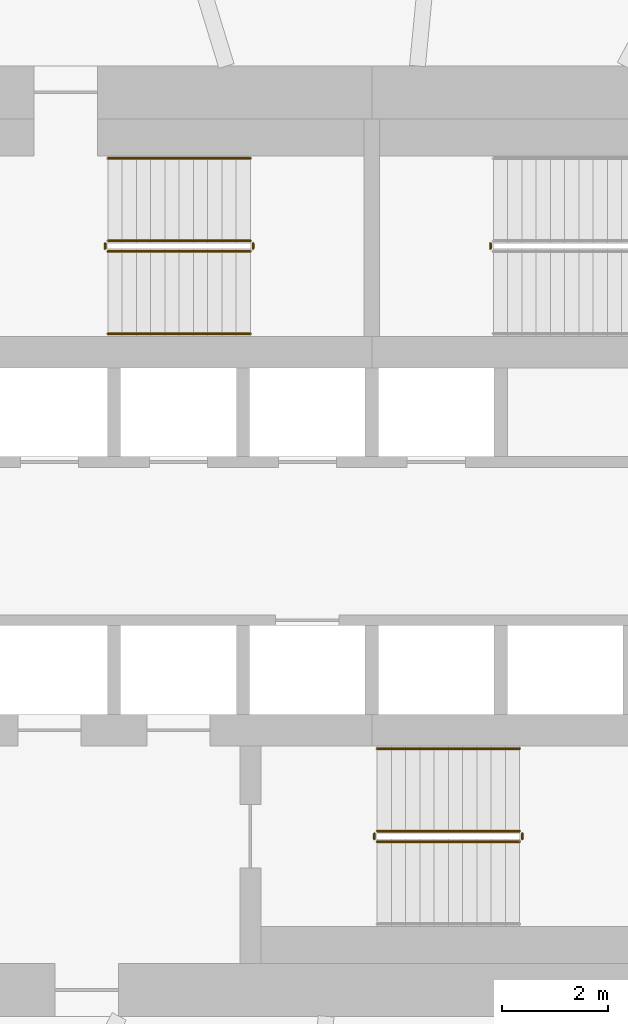
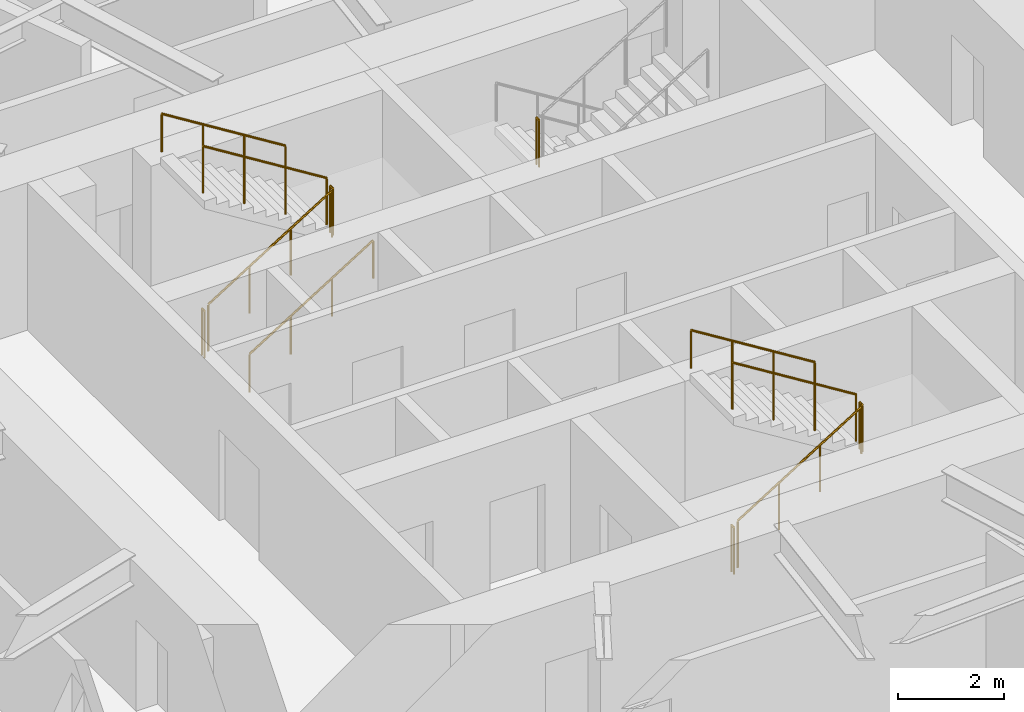
# One storey, part 13 of 16: 12 railings.
"""IFC4 building model written with IfcOpenShell, lengths in metres."""

from ifc_helpers import new_model, si_unit, direction, frame, origin, origin_2d, place, context, subcontext, project, spatial, circle, extrude, material, type_object, element, save


model = new_model("IFC4")

# Units and contexts
model_context = context("Model", 3, precision=1e-05, world=origin(), true_north=direction((0.0, 1.0)))
body_context = subcontext(model_context, "Body", "Model", "MODEL_VIEW")
ifc_project = project(units=[si_unit("LENGTHUNIT", "METRE"), si_unit("AREAUNIT", "SQUARE_METRE"), si_unit("VOLUMEUNIT", "CUBIC_METRE"), si_unit("PLANEANGLEUNIT", "RADIAN"), si_unit("MASSUNIT", "GRAM", prefix="KILO")], contexts=[model_context])

# Site, building, storey
site_placement = place(None, origin())
site = spatial("IfcSite", under=ifc_project, at=site_placement, CompositionType="ELEMENT")
building_placement = place(site_placement, origin())
building = spatial("IfcBuilding", under=site, at=building_placement, Name="Vermilion Reach Broadcast Tower", CompositionType="ELEMENT")
storey_placement = place(building_placement, frame((0.0, 0.0, 47.10009765625)))
storey = spatial("IfcBuildingStorey", under=building, at=storey_placement, Name="L08", CompositionType="ELEMENT", Elevation=47.10009765625)

# Railings
ifc_material_1 = material(Name="Stainless steel", Category="steel")
railing_type_1 = type_object("IfcRailingType", Name="Stair guard 1100", PredefinedType="GUARDRAIL", material=ifc_material_1)
railing_1_placement = place(storey_placement, frame((-11.0, 5.489990234375, 0.16796875)))
element("IfcRailing", 1, at=railing_1_placement, inside=storey, type_object=railing_type_1, Name="L08 ST1 stair guard 1", PredefinedType="GUARDRAIL", context=body_context, shape_type="SweptSolid", body=[
    extrude(circle(Radius=0.02392578125, at=origin_2d()), frame((0.0, 0.0, 1.076171875), z_axis=(0.848786430784, 0.0, 0.528735846068), x_axis=(0.0, 1.0, 0.0)), (0.0, 0.0, 1.0), 3.180908203125),
    extrude(circle(Radius=0.02099609375, at=origin_2d()), origin(), (0.0, 0.0, 1.0), 1.052001953125),
    extrude(circle(Radius=0.02099609375, at=origin_2d()), frame((0.89990234375, 0.0, 0.560546875)), (0.0, 0.0, 1.0), 1.052001953125),
    extrude(circle(Radius=0.02099609375, at=origin_2d()), frame((1.800048828125, 0.0, 1.121337890625)), (0.0, 0.0, 1.0), 1.052001953125),
    extrude(circle(Radius=0.02099609375, at=origin_2d()), frame((2.699951171875, 0.0, 1.681884765625)), (0.0, 0.0, 1.0), 1.052001953125),
])
railing_2_placement = place(storey_placement, frame((-8.25, 5.5400390625, 1.849853515625)))
element("IfcRailing", 2, at=railing_2_placement, inside=storey, type_object=railing_type_1, Name="L08 ST1 stair guard 2", PredefinedType="GUARDRAIL", context=body_context, shape_type="SweptSolid", body=[
    extrude(circle(Radius=0.02392578125, at=origin_2d()), frame((0.0, 0.0, 1.076171875), z_axis=(0.0, 1.0, 0.0), x_axis=(-1.0, 0.0, 0.0)), (0.0, 0.0, 1.0), 0.099853515625),
    extrude(circle(Radius=0.02099609375, at=origin_2d()), origin(), (0.0, 0.0, 1.0), 1.052001953125),
    extrude(circle(Radius=0.02099609375, at=origin_2d()), frame((0.0, 0.099853515625, 0.0)), (0.0, 0.0, 1.0), 1.052001953125),
])
railing_3_placement = place(storey_placement, frame((-8.300048828125, 5.68994140625, 2.01806640625)))
element("IfcRailing", 3, at=railing_3_placement, inside=storey, type_object=railing_type_1, Name="L08 ST1 stair guard 3", PredefinedType="GUARDRAIL", context=body_context, shape_type="SweptSolid", body=[
    extrude(circle(Radius=0.02392578125, at=origin_2d()), frame((0.0, 0.0, 1.076171875), z_axis=(-0.848786430784, 0.0, 0.528735846068), x_axis=(0.0, -1.0, 0.0)), (0.0, 0.0, 1.0), 3.180908203125),
    extrude(circle(Radius=0.02099609375, at=origin_2d()), origin(), (0.0, 0.0, 1.0), 1.052001953125),
    extrude(circle(Radius=0.02099609375, at=origin_2d()), frame((-0.89990234375, 0.0, 0.560546875)), (0.0, 0.0, 1.0), 1.052001953125),
    extrude(circle(Radius=0.02099609375, at=origin_2d()), frame((-1.800048828125, 0.0, 1.121337890625)), (0.0, 0.0, 1.0), 1.052001953125),
    extrude(circle(Radius=0.02099609375, at=origin_2d()), frame((-2.699951171875, 0.0, 1.681884765625)), (0.0, 0.0, 1.0), 1.052001953125),
])
railing_4_placement = place(storey_placement, frame((-11.050048828125, 5.5400390625, 0.0)))
element("IfcRailing", 4, at=railing_4_placement, inside=storey, type_object=railing_type_1, Name="L08 ST1 stair guard 4", PredefinedType="GUARDRAIL", context=body_context, shape_type="SweptSolid", body=[
    extrude(circle(Radius=0.02392578125, at=origin_2d()), frame((0.0, 0.0, 1.076171875), z_axis=(0.0, 1.0, 0.0), x_axis=(-1.0, 0.0, 0.0)), (0.0, 0.0, 1.0), 0.099853515625),
    extrude(circle(Radius=0.02099609375, at=origin_2d()), origin(), (0.0, 0.0, 1.0), 1.052001953125),
    extrude(circle(Radius=0.02099609375, at=origin_2d()), frame((0.0, 0.099853515625, 0.0)), (0.0, 0.0, 1.0), 1.052001953125),
])
railing_5_placement = place(storey_placement, frame((-3.75, 5.639892578125, 1.849853515625)))
element("IfcRailing", 5, at=railing_5_placement, inside=storey, type_object=railing_type_1, Name="L08 ST2 stair guard 2", PredefinedType="GUARDRAIL", context=body_context, shape_type="SweptSolid", body=[
    extrude(circle(Radius=0.02392578125, at=origin_2d()), frame((0.0, 0.0, 1.076171875), z_axis=(0.0, -1.0, 0.0), x_axis=(1.0, 0.0, 0.0)), (0.0, 0.0, 1.0), 0.099853515625),
    extrude(circle(Radius=0.02099609375, at=origin_2d()), origin(), (0.0, 0.0, 1.0), 1.052001953125),
    extrude(circle(Radius=0.02099609375, at=origin_2d()), frame((0.0, -0.099853515625, 0.0)), (0.0, 0.0, 1.0), 1.052001953125),
])
railing_6_placement = place(storey_placement, frame((-5.89990234375, -5.68994140625, 0.16796875)))
element("IfcRailing", 6, at=railing_6_placement, inside=storey, type_object=railing_type_1, Name="L08 ST3 stair guard 1", PredefinedType="GUARDRAIL", context=body_context, shape_type="SweptSolid", body=[
    extrude(circle(Radius=0.02392578125, at=origin_2d()), frame((0.0, 0.0, 1.076171875), z_axis=(0.848786430784, 0.0, 0.528735846068), x_axis=(0.0, 1.0, 0.0)), (0.0, 0.0, 1.0), 3.180908203125),
    extrude(circle(Radius=0.02099609375, at=origin_2d()), origin(), (0.0, 0.0, 1.0), 1.052001953125),
    extrude(circle(Radius=0.02099609375, at=origin_2d()), frame((0.89990234375, 0.0, 0.560546875)), (0.0, 0.0, 1.0), 1.052001953125),
    extrude(circle(Radius=0.02099609375, at=origin_2d()), frame((1.800048828125, 0.0, 1.121337890625)), (0.0, 0.0, 1.0), 1.052001953125),
    extrude(circle(Radius=0.02099609375, at=origin_2d()), frame((2.699951171875, 0.0, 1.681884765625)), (0.0, 0.0, 1.0), 1.052001953125),
])
railing_7_placement = place(storey_placement, frame((-3.14990234375, -5.639892578125, 1.849853515625)))
element("IfcRailing", 7, at=railing_7_placement, inside=storey, type_object=railing_type_1, Name="L08 ST3 stair guard 2", PredefinedType="GUARDRAIL", context=body_context, shape_type="SweptSolid", body=[
    extrude(circle(Radius=0.02392578125, at=origin_2d()), frame((0.0, 0.0, 1.076171875), z_axis=(0.0, 1.0, 0.0), x_axis=(-1.0, 0.0, 0.0)), (0.0, 0.0, 1.0), 0.099853515625),
    extrude(circle(Radius=0.02099609375, at=origin_2d()), origin(), (0.0, 0.0, 1.0), 1.052001953125),
    extrude(circle(Radius=0.02099609375, at=origin_2d()), frame((0.0, 0.099853515625, 0.0)), (0.0, 0.0, 1.0), 1.052001953125),
])
railing_8_placement = place(storey_placement, frame((-3.199951171875, -5.489990234375, 2.01806640625)))
element("IfcRailing", 8, at=railing_8_placement, inside=storey, type_object=railing_type_1, Name="L08 ST3 stair guard 3", PredefinedType="GUARDRAIL", context=body_context, shape_type="SweptSolid", body=[
    extrude(circle(Radius=0.02392578125, at=origin_2d()), frame((0.0, 0.0, 1.076171875), z_axis=(-0.848786430784, 0.0, 0.528735846068), x_axis=(0.0, -1.0, 0.0)), (0.0, 0.0, 1.0), 3.180908203125),
    extrude(circle(Radius=0.02099609375, at=origin_2d()), origin(), (0.0, 0.0, 1.0), 1.052001953125),
    extrude(circle(Radius=0.02099609375, at=origin_2d()), frame((-0.89990234375, 0.0, 0.560546875)), (0.0, 0.0, 1.0), 1.052001953125),
    extrude(circle(Radius=0.02099609375, at=origin_2d()), frame((-1.800048828125, 0.0, 1.121337890625)), (0.0, 0.0, 1.0), 1.052001953125),
    extrude(circle(Radius=0.02099609375, at=origin_2d()), frame((-2.699951171875, 0.0, 1.681884765625)), (0.0, 0.0, 1.0), 1.052001953125),
])
railing_9_placement = place(storey_placement, frame((-5.949951171875, -5.639892578125, 0.0)))
element("IfcRailing", 9, at=railing_9_placement, inside=storey, type_object=railing_type_1, Name="L08 ST3 stair guard 4", PredefinedType="GUARDRAIL", context=body_context, shape_type="SweptSolid", body=[
    extrude(circle(Radius=0.02392578125, at=origin_2d()), frame((0.0, 0.0, 1.076171875), z_axis=(0.0, 1.0, 0.0), x_axis=(-1.0, 0.0, 0.0)), (0.0, 0.0, 1.0), 0.099853515625),
    extrude(circle(Radius=0.02099609375, at=origin_2d()), origin(), (0.0, 0.0, 1.0), 1.052001953125),
    extrude(circle(Radius=0.02099609375, at=origin_2d()), frame((0.0, 0.099853515625, 0.0)), (0.0, 0.0, 1.0), 1.052001953125),
])
ifc_material_2 = material(Name="Stainless steel", Category="steel")
railing_type_2 = type_object("IfcRailingType", Name="Stair handrail", PredefinedType="HANDRAIL", material=ifc_material_2)
railing_10_placement = place(storey_placement, frame((-11.0, 3.929931640625, 0.16796875)))
element("IfcRailing", 10, at=railing_10_placement, inside=storey, type_object=railing_type_2, Name="L08 ST1 stair handrail 1", PredefinedType="HANDRAIL", context=body_context, shape_type="SweptSolid", body=[
    extrude(circle(Radius=0.02392578125, at=origin_2d()), frame((0.0, 0.0, 0.8759765625), z_axis=(0.848786430784, 0.0, 0.528735846068), x_axis=(0.0, 1.0, 0.0)), (0.0, 0.0, 1.0), 3.180908203125),
    extrude(circle(Radius=0.02099609375, at=origin_2d()), origin(), (0.0, 0.0, 1.0), 0.851806640625),
    extrude(circle(Radius=0.02099609375, at=origin_2d()), frame((0.89990234375, 0.0, 0.560546875)), (0.0, 0.0, 1.0), 0.851806640625),
    extrude(circle(Radius=0.02099609375, at=origin_2d()), frame((1.800048828125, 0.0, 1.121337890625)), (0.0, 0.0, 1.0), 0.851806640625),
    extrude(circle(Radius=0.02099609375, at=origin_2d()), frame((2.699951171875, 0.0, 1.681884765625)), (0.0, 0.0, 1.0), 0.851806640625),
])
for number, where, name in (
    (11, (-8.300048828125, 7.25, 2.01806640625), "L08 ST1 stair handrail 2"),
    (12, (-3.199951171875, -3.929931640625, 2.01806640625), "L08 ST3 stair handrail 2"),
):
    element("IfcRailing", number, at=place(storey_placement, frame(where)), inside=storey, type_object=railing_type_2, Name=name, PredefinedType="HANDRAIL", context=body_context, shape_type="SweptSolid", body=[
        extrude(circle(Radius=0.02392578125, at=origin_2d()), frame((0.0, 0.0, 0.8759765625), z_axis=(-0.848786430784, 0.0, 0.528735846068), x_axis=(0.0, -1.0, 0.0)), (0.0, 0.0, 1.0), 3.180908203125),
        extrude(circle(Radius=0.02099609375, at=origin_2d()), origin(), (0.0, 0.0, 1.0), 0.851806640625),
        extrude(circle(Radius=0.02099609375, at=origin_2d()), frame((-0.89990234375, 0.0, 0.560546875)), (0.0, 0.0, 1.0), 0.851806640625),
        extrude(circle(Radius=0.02099609375, at=origin_2d()), frame((-1.800048828125, 0.0, 1.121337890625)), (0.0, 0.0, 1.0), 0.851806640625),
        extrude(circle(Radius=0.02099609375, at=origin_2d()), frame((-2.699951171875, 0.0, 1.681884765625)), (0.0, 0.0, 1.0), 0.851806640625),
    ])

save(model, "model.ifc")
